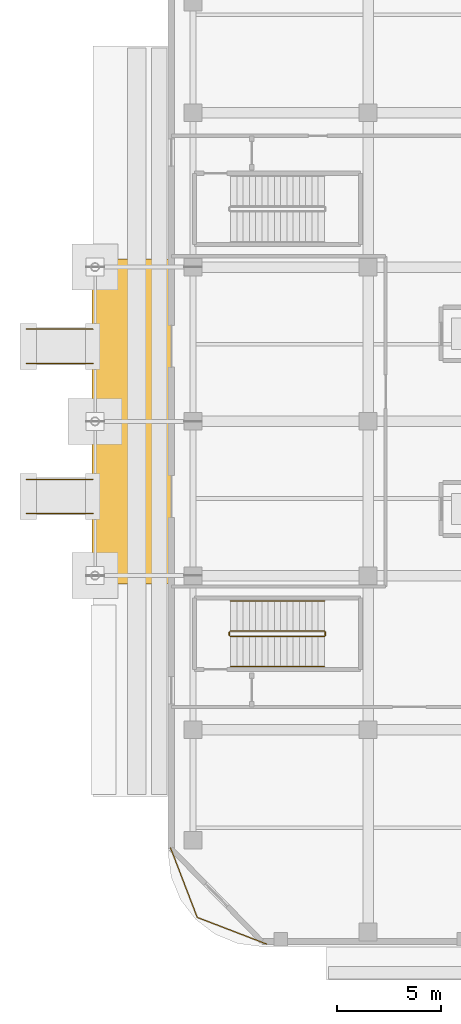
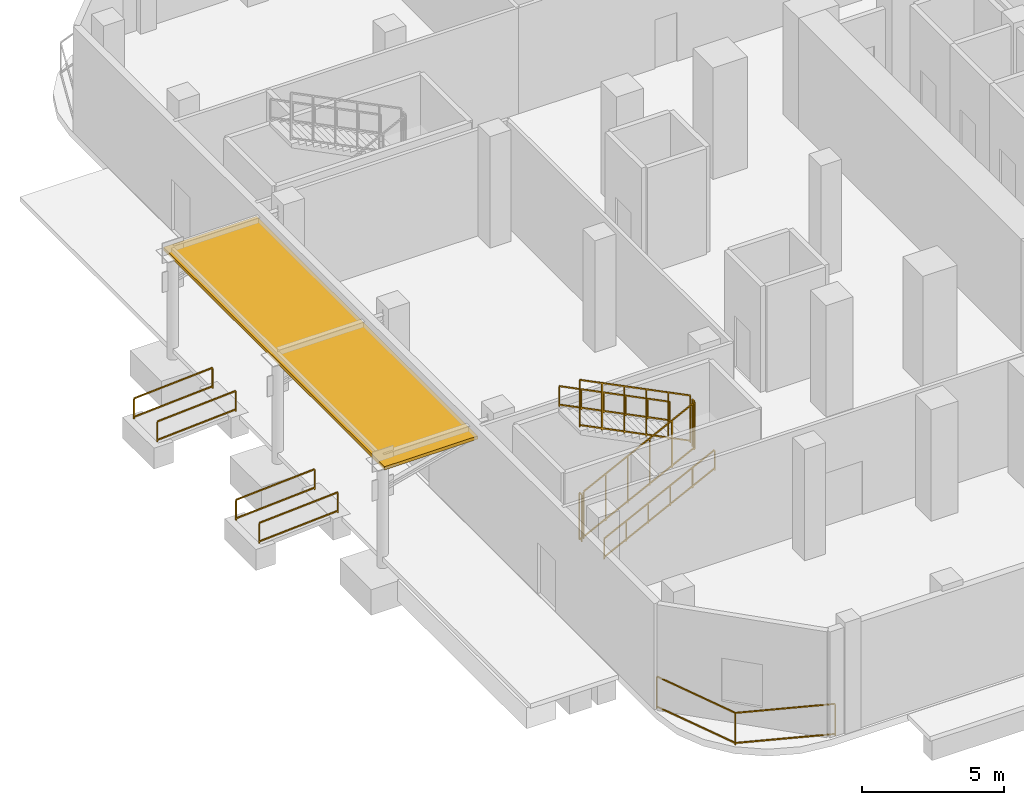
# One storey, part 19 of 24: 11 railings, 1 shading device.
"""IFC4 building model written with IfcOpenShell, lengths in metres."""

from ifc_helpers import new_model, si_unit, direction, frame, origin, origin_2d, place, context, subcontext, project, spatial, rectangle, extrude, material, layer, layer_set, type_object, element, save


model = new_model("IFC4")

# Units and contexts
model_context = context("Model", 3, precision=1e-05, world=origin(), true_north=direction((0.0, 1.0)))
body_context = subcontext(model_context, "Body", "Model", "MODEL_VIEW")
ifc_project = project(units=[si_unit("LENGTHUNIT", "METRE"), si_unit("AREAUNIT", "SQUARE_METRE"), si_unit("VOLUMEUNIT", "CUBIC_METRE"), si_unit("PLANEANGLEUNIT", "RADIAN"), si_unit("MASSUNIT", "GRAM", prefix="KILO")], contexts=[model_context])

# Site, building, storey
site_placement = place(None, origin())
site = spatial("IfcSite", under=ifc_project, at=site_placement, CompositionType="ELEMENT")
building_placement = place(site_placement, origin())
building = spatial("IfcBuilding", under=site, at=building_placement, Name="Khorvyn Point Tower", CompositionType="ELEMENT")
storey_placement = place(building_placement, origin())
storey = spatial("IfcBuildingStorey", under=building, at=storey_placement, Name="L01", CompositionType="ELEMENT", Elevation=0.0)

# Shading device
ifc_material_1 = material(Name="Bronze anodised aluminium 6063-T6", Category="aluminium")
ifc_layer = layer(ifc_material_1, 0.139892578125)
ifc_layer_set = layer_set([ifc_layer], Name="Anodised Aluminium Horizontal Monsoon Sunshade Canopy")
shading_device_type = type_object("IfcShadingDeviceType", Name="Anodised Aluminium Horizontal Monsoon Sunshade Canopy", PredefinedType="AWNING", material=ifc_layer_set)
shading_device_placement = place(storey_placement, frame((-35.35009765625, 0.0, 3.89990234375), z_axis=(0.0, 0.0, 1.0), x_axis=(1.0, 0.0, 0.0)))
element("IfcShadingDevice", 1, at=shading_device_placement, inside=storey, type_object=shading_device_type, Name="L01 School Entrance Monsoon Canopy", PredefinedType="AWNING", context=body_context, shape_type="SweptSolid", body=[
    extrude(rectangle(XDim=3.800048828125, YDim=15.60009765625, at=origin_2d()), origin(), (0.0, 0.0, 1.0), 0.139892578125),
])

# Railings
ifc_material_2 = material(Name="Anodised aluminium 6063-T6 and laminated safety glass", Category="aluminium")
railing_type_1 = type_object("IfcRailingType", Name="Laminated Glass and Aluminium Balcony Guardrail 1400", PredefinedType="BALUSTRADE", material=ifc_material_2)
railing_1_placement = place(storey_placement, frame((-33.47412109375, -20.470703125, 0.0)))
element("IfcRailing", 2, at=railing_1_placement, inside=storey, type_object=railing_type_1, Name="L01 Rounded Corner Edge Guardrail SW", PredefinedType="BALUSTRADE", context=body_context, shape_type="SweptSolid", body=[
    extrude(rectangle(XDim=0.048095703125, YDim=0.048095703125, at=origin_2d()), frame((0.0, 0.0, 1.3759765625), z_axis=(0.35841886047, -0.933560882031, 0.0), x_axis=(0.933560882031, 0.35841886047, 0.0)), (0.0, 0.0, 1.0), 3.563232421875),
    extrude(rectangle(XDim=0.048095703125, YDim=0.048095703125, at=origin_2d()), frame((0.0, 0.0, 0.080078125), z_axis=(0.35841886047, -0.933560882031, 0.0), x_axis=(0.933560882031, 0.35841886047, 0.0)), (0.0, 0.0, 1.0), 3.563232421875),
    extrude(rectangle(XDim=0.048095703125, YDim=0.048095703125, at=origin_2d()), frame((1.277099609375, -3.326416015625, 1.3759765625), z_axis=(0.933575007025, -0.358382067435, 0.0), x_axis=(0.358382067435, 0.933575007025, 0.0)), (0.0, 0.0, 1.0), 3.562744140625),
    extrude(rectangle(XDim=0.048095703125, YDim=0.048095703125, at=origin_2d()), frame((1.277099609375, -3.326416015625, 0.080078125), z_axis=(0.933575007025, -0.358382067435, 0.0), x_axis=(0.358382067435, 0.933575007025, 0.0)), (0.0, 0.0, 1.0), 3.562744140625),
    extrude(rectangle(XDim=0.0419921875, YDim=0.0419921875, at=origin_2d()), origin(), (0.0, 0.0, 1.0), 1.351806640625),
    extrude(rectangle(XDim=0.0419921875, YDim=0.0419921875, at=origin_2d()), frame((1.277099609375, -3.326416015625, 0.0)), (0.0, 0.0, 1.0), 1.351806640625),
    extrude(rectangle(XDim=0.0419921875, YDim=0.0419921875, at=origin_2d()), frame((4.603271484375, -4.603271484375, 0.0)), (0.0, 0.0, 1.0), 1.351806640625),
])
ifc_material_3 = material(Name="Stainless steel 1.4301", Category="steel")
railing_type_2 = type_object("IfcRailingType", Name="Stainless Steel 304 Stair Pitch Handrail 900", PredefinedType="HANDRAIL", material=ifc_material_3)
railing_2_placement = place(storey_placement, frame((-30.60009765625, -11.77001953125, 0.14990234375)))
element("IfcRailing", 3, at=railing_2_placement, inside=storey, type_object=railing_type_2, Name="L01 ST-S1 stair handrail 1", PredefinedType="HANDRAIL", context=body_context, shape_type="SweptSolid", body=[
    extrude(rectangle(XDim=0.048095703125, YDim=0.048095703125, at=origin_2d()), frame((0.0, 0.0, 0.8759765625), z_axis=(0.894427191, 0.0, 0.4472135955), x_axis=(0.0, 1.0, 0.0)), (0.0, 0.0, 1.0), 5.03125),
    extrude(rectangle(XDim=0.048095703125, YDim=0.048095703125, at=origin_2d()), frame((0.0, 0.0, 0.080078125), z_axis=(0.894427191, 0.0, 0.4472135955), x_axis=(0.0, 1.0, 0.0)), (0.0, 0.0, 1.0), 5.03125),
    extrude(rectangle(XDim=0.0419921875, YDim=0.0419921875, at=origin_2d()), origin(), (0.0, 0.0, 1.0), 0.851806640625),
    extrude(rectangle(XDim=0.0419921875, YDim=0.0419921875, at=origin_2d()), frame((0.89990234375, 0.0, 0.449951171875)), (0.0, 0.0, 1.0), 0.851806640625),
    extrude(rectangle(XDim=0.0419921875, YDim=0.0419921875, at=origin_2d()), frame((1.800048828125, 0.0, 0.89990234375)), (0.0, 0.0, 1.0), 0.851806640625),
    extrude(rectangle(XDim=0.0419921875, YDim=0.0419921875, at=origin_2d()), frame((2.699951171875, 0.0, 1.35009765625)), (0.0, 0.0, 1.0), 0.851806640625),
    extrude(rectangle(XDim=0.0419921875, YDim=0.0419921875, at=origin_2d()), frame((3.60009765625, 0.0, 1.800048828125)), (0.0, 0.0, 1.0), 0.851806640625),
    extrude(rectangle(XDim=0.0419921875, YDim=0.0419921875, at=origin_2d()), frame((4.5, 0.0, 2.25)), (0.0, 0.0, 1.0), 0.851806640625),
])
railing_3_placement = place(storey_placement, frame((-26.10009765625, -8.610107421875, 2.550048828125)))
element("IfcRailing", 4, at=railing_3_placement, inside=storey, type_object=railing_type_2, Name="L01 ST-S1 stair handrail 2", PredefinedType="HANDRAIL", context=body_context, shape_type="SweptSolid", body=[
    extrude(rectangle(XDim=0.048095703125, YDim=0.048095703125, at=origin_2d()), frame((0.0, 0.0, 0.8759765625), z_axis=(-0.894427191, 0.0, 0.4472135955), x_axis=(0.0, -1.0, 0.0)), (0.0, 0.0, 1.0), 5.03125),
    extrude(rectangle(XDim=0.048095703125, YDim=0.048095703125, at=origin_2d()), frame((0.0, 0.0, 0.080078125), z_axis=(-0.894427191, 0.0, 0.4472135955), x_axis=(0.0, -1.0, 0.0)), (0.0, 0.0, 1.0), 5.03125),
    extrude(rectangle(XDim=0.0419921875, YDim=0.0419921875, at=origin_2d()), origin(), (0.0, 0.0, 1.0), 0.851806640625),
    extrude(rectangle(XDim=0.0419921875, YDim=0.0419921875, at=origin_2d()), frame((-0.89990234375, 0.0, 0.449951171875)), (0.0, 0.0, 1.0), 0.851806640625),
    extrude(rectangle(XDim=0.0419921875, YDim=0.0419921875, at=origin_2d()), frame((-1.800048828125, 0.0, 0.89990234375)), (0.0, 0.0, 1.0), 0.851806640625),
    extrude(rectangle(XDim=0.0419921875, YDim=0.0419921875, at=origin_2d()), frame((-2.699951171875, 0.0, 1.35009765625)), (0.0, 0.0, 1.0), 0.851806640625),
    extrude(rectangle(XDim=0.0419921875, YDim=0.0419921875, at=origin_2d()), frame((-3.60009765625, 0.0, 1.800048828125)), (0.0, 0.0, 1.0), 0.851806640625),
    extrude(rectangle(XDim=0.0419921875, YDim=0.0419921875, at=origin_2d()), frame((-4.5, 0.0, 2.25)), (0.0, 0.0, 1.0), 0.851806640625),
])
for number, where, name in (
    (5, (-40.39990234375, -4.419921875, -0.199951171875), "L01 West School Forecourt Step-Free Threshold Ramp Handrail S"),
    (6, (-40.39990234375, -2.780029296875, -0.199951171875), "L01 West School Forecourt Step-Free Threshold Ramp Handrail N"),
    (7, (-40.39990234375, 2.780029296875, -0.199951171875), "L01 Northwest School Step-Free Threshold Ramp Handrail S"),
    (8, (-40.39990234375, 4.419921875, -0.199951171875), "L01 Northwest School Step-Free Threshold Ramp Handrail N"),
):
    element("IfcRailing", number, at=place(storey_placement, frame(where)), inside=storey, type_object=railing_type_2, Name=name, PredefinedType="HANDRAIL", context=body_context, shape_type="SweptSolid", body=[
        extrude(rectangle(XDim=0.048095703125, YDim=0.048095703125, at=origin_2d()), frame((0.0, 0.0, 0.8759765625), z_axis=(0.998053467252, 0.0, 0.062364064216), x_axis=(0.0, 1.0, 0.0)), (0.0, 0.0, 1.0), 3.206298828125),
        extrude(rectangle(XDim=0.048095703125, YDim=0.048095703125, at=origin_2d()), frame((0.0, 0.0, 0.080078125), z_axis=(0.998053467252, 0.0, 0.062364064216), x_axis=(0.0, 1.0, 0.0)), (0.0, 0.0, 1.0), 3.206298828125),
        extrude(rectangle(XDim=0.0419921875, YDim=0.0419921875, at=origin_2d()), origin(), (0.0, 0.0, 1.0), 0.851806640625),
        extrude(rectangle(XDim=0.0419921875, YDim=0.0419921875, at=origin_2d()), frame((3.199951171875, 0.0, 0.199951171875)), (0.0, 0.0, 1.0), 0.851806640625),
    ])
railing_type_3 = type_object("IfcRailingType", Name="Stainless Steel 304 Stair Well Guardrail 1400", PredefinedType="GUARDRAIL", material=ifc_material_3)
railing_4_placement = place(storey_placement, frame((-30.60009765625, -10.320068359375, 0.14990234375)))
element("IfcRailing", 9, at=railing_4_placement, inside=storey, type_object=railing_type_3, Name="L01 ST-S1 stair guard 1", PredefinedType="GUARDRAIL", context=body_context, shape_type="SweptSolid", body=[
    extrude(rectangle(XDim=0.048095703125, YDim=0.048095703125, at=origin_2d()), frame((0.0, 0.0, 2.02587890625), z_axis=(0.894427191, 0.0, 0.4472135955), x_axis=(0.0, 1.0, 0.0)), (0.0, 0.0, 1.0), 5.03125),
    extrude(rectangle(XDim=0.048095703125, YDim=0.048095703125, at=origin_2d()), frame((0.0, 0.0, 0.080078125), z_axis=(0.894427191, 0.0, 0.4472135955), x_axis=(0.0, 1.0, 0.0)), (0.0, 0.0, 1.0), 5.03125),
    extrude(rectangle(XDim=0.0419921875, YDim=0.0419921875, at=origin_2d()), origin(), (0.0, 0.0, 1.0), 2.001953125),
    extrude(rectangle(XDim=0.0419921875, YDim=0.0419921875, at=origin_2d()), frame((0.89990234375, 0.0, 0.449951171875)), (0.0, 0.0, 1.0), 2.001953125),
    extrude(rectangle(XDim=0.0419921875, YDim=0.0419921875, at=origin_2d()), frame((1.800048828125, 0.0, 0.89990234375)), (0.0, 0.0, 1.0), 2.001953125),
    extrude(rectangle(XDim=0.0419921875, YDim=0.0419921875, at=origin_2d()), frame((2.699951171875, 0.0, 1.35009765625)), (0.0, 0.0, 1.0), 2.001953125),
    extrude(rectangle(XDim=0.0419921875, YDim=0.0419921875, at=origin_2d()), frame((3.60009765625, 0.0, 1.800048828125)), (0.0, 0.0, 1.0), 2.001953125),
    extrude(rectangle(XDim=0.0419921875, YDim=0.0419921875, at=origin_2d()), frame((4.5, 0.0, 2.25)), (0.0, 0.0, 1.0), 2.001953125),
])
railing_5_placement = place(storey_placement, frame((-26.050048828125, -10.27001953125, 2.39990234375)))
element("IfcRailing", 10, at=railing_5_placement, inside=storey, type_object=railing_type_3, Name="L01 ST-S1 stair guard 2", PredefinedType="GUARDRAIL", context=body_context, shape_type="SweptSolid", body=[
    extrude(rectangle(XDim=0.048095703125, YDim=0.048095703125, at=origin_2d()), frame((0.0, 0.0, 2.02587890625), z_axis=(0.0, 1.0, 0.0), x_axis=(-1.0, 0.0, 0.0)), (0.0, 0.0, 1.0), 0.159912109375),
    extrude(rectangle(XDim=0.048095703125, YDim=0.048095703125, at=origin_2d()), frame((0.0, 0.0, 0.080078125), z_axis=(0.0, 1.0, 0.0), x_axis=(-1.0, 0.0, 0.0)), (0.0, 0.0, 1.0), 0.159912109375),
    extrude(rectangle(XDim=0.0419921875, YDim=0.0419921875, at=origin_2d()), origin(), (0.0, 0.0, 1.0), 2.001953125),
    extrude(rectangle(XDim=0.0419921875, YDim=0.0419921875, at=origin_2d()), frame((0.0, 0.159912109375, 0.0)), (0.0, 0.0, 1.0), 2.001953125),
])
railing_6_placement = place(storey_placement, frame((-26.10009765625, -10.06005859375, 2.550048828125)))
element("IfcRailing", 11, at=railing_6_placement, inside=storey, type_object=railing_type_3, Name="L01 ST-S1 stair guard 3", PredefinedType="GUARDRAIL", context=body_context, shape_type="SweptSolid", body=[
    extrude(rectangle(XDim=0.048095703125, YDim=0.048095703125, at=origin_2d()), frame((0.0, 0.0, 2.02587890625), z_axis=(-0.894427191, 0.0, 0.4472135955), x_axis=(0.0, -1.0, 0.0)), (0.0, 0.0, 1.0), 5.03125),
    extrude(rectangle(XDim=0.048095703125, YDim=0.048095703125, at=origin_2d()), frame((0.0, 0.0, 0.080078125), z_axis=(-0.894427191, 0.0, 0.4472135955), x_axis=(0.0, -1.0, 0.0)), (0.0, 0.0, 1.0), 5.03125),
    extrude(rectangle(XDim=0.0419921875, YDim=0.0419921875, at=origin_2d()), origin(), (0.0, 0.0, 1.0), 2.001953125),
    extrude(rectangle(XDim=0.0419921875, YDim=0.0419921875, at=origin_2d()), frame((-0.89990234375, 0.0, 0.449951171875)), (0.0, 0.0, 1.0), 2.001953125),
    extrude(rectangle(XDim=0.0419921875, YDim=0.0419921875, at=origin_2d()), frame((-1.800048828125, 0.0, 0.89990234375)), (0.0, 0.0, 1.0), 2.001953125),
    extrude(rectangle(XDim=0.0419921875, YDim=0.0419921875, at=origin_2d()), frame((-2.699951171875, 0.0, 1.35009765625)), (0.0, 0.0, 1.0), 2.001953125),
    extrude(rectangle(XDim=0.0419921875, YDim=0.0419921875, at=origin_2d()), frame((-3.60009765625, 0.0, 1.800048828125)), (0.0, 0.0, 1.0), 2.001953125),
    extrude(rectangle(XDim=0.0419921875, YDim=0.0419921875, at=origin_2d()), frame((-4.5, 0.0, 2.25)), (0.0, 0.0, 1.0), 2.001953125),
])
railing_7_placement = place(storey_placement, frame((-30.64990234375, -10.27001953125, 0.0)))
element("IfcRailing", 12, at=railing_7_placement, inside=storey, type_object=railing_type_3, Name="L01 ST-S1 stair guard 4", PredefinedType="GUARDRAIL", context=body_context, shape_type="SweptSolid", body=[
    extrude(rectangle(XDim=0.048095703125, YDim=0.048095703125, at=origin_2d()), frame((0.0, 0.0, 2.02587890625), z_axis=(0.0, 1.0, 0.0), x_axis=(-1.0, 0.0, 0.0)), (0.0, 0.0, 1.0), 0.159912109375),
    extrude(rectangle(XDim=0.048095703125, YDim=0.048095703125, at=origin_2d()), frame((0.0, 0.0, 0.080078125), z_axis=(0.0, 1.0, 0.0), x_axis=(-1.0, 0.0, 0.0)), (0.0, 0.0, 1.0), 0.159912109375),
    extrude(rectangle(XDim=0.0419921875, YDim=0.0419921875, at=origin_2d()), origin(), (0.0, 0.0, 1.0), 2.001953125),
    extrude(rectangle(XDim=0.0419921875, YDim=0.0419921875, at=origin_2d()), frame((0.0, 0.159912109375, 0.0)), (0.0, 0.0, 1.0), 2.001953125),
])

save(model, "model.ifc")
